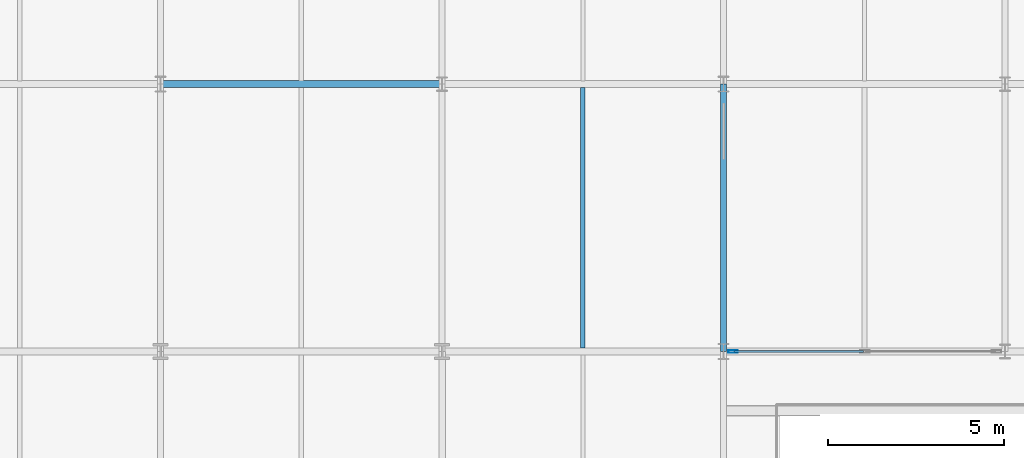
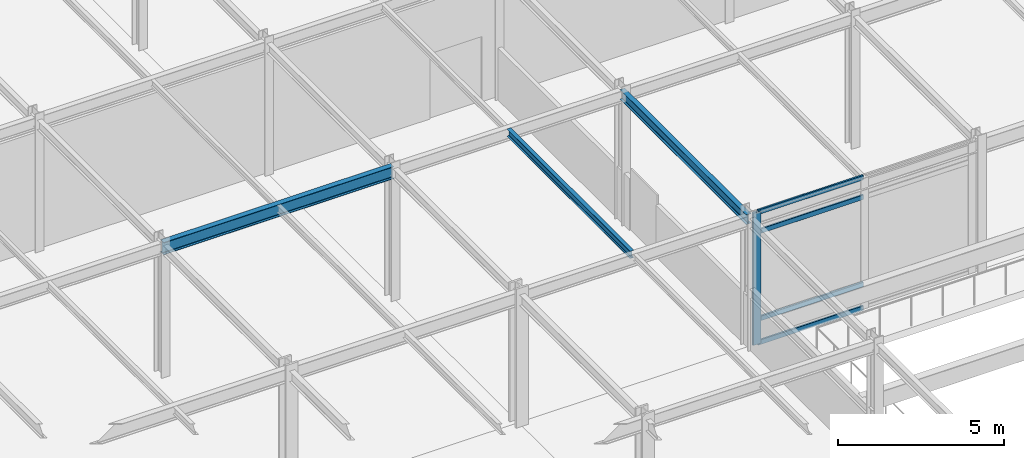
# One storey, part 32 of 113: 5 members, 3 beams, 1 element without a shape of its own.
"""IFC4 building model written with IfcOpenShell, lengths in metres."""

from ifc_helpers import new_model, si_unit, direction, frame, origin, origin_2d, place, context, subcontext, project, spatial, hollow_rectangle, i_section, extrude, material, layer, layer_set, material_profile, profile_set, type_object, element, aggregate, save


model = new_model("IFC4")

# Units and contexts
model_context = context("Model", 3, precision=1e-05, world=origin(), true_north=direction((0.0, 1.0)))
body_context = subcontext(model_context, "Body", "Model", "MODEL_VIEW")
ifc_project = project(units=[si_unit("LENGTHUNIT", "METRE"), si_unit("AREAUNIT", "SQUARE_METRE"), si_unit("VOLUMEUNIT", "CUBIC_METRE"), si_unit("PLANEANGLEUNIT", "RADIAN"), si_unit("MASSUNIT", "GRAM", prefix="KILO")], contexts=[model_context])

# Site, building, storey
site_placement = place(None, origin())
site = spatial("IfcSite", under=ifc_project, at=site_placement, CompositionType="ELEMENT")
building_placement = place(site_placement, origin())
building = spatial("IfcBuilding", under=site, at=building_placement, Name="Shalkamar Park Central Library", CompositionType="ELEMENT")
storey_placement = place(building_placement, frame((0.0, 0.0, 5.39990234375)))
storey = spatial("IfcBuildingStorey", under=building, at=storey_placement, Name="L02", CompositionType="ELEMENT", Elevation=5.39990234375)

# Beam
ifc_material_1 = material(Name="Steel S355", Category="steel")
ifc_material_profile_1 = material_profile(ifc_material_1, i_section(OverallWidth=0.135009765625, OverallDepth=0.27001953125, WebThickness=0.006591796875, FlangeThickness=0.01025390625, FilletRadius=0.014892578125, at=origin_2d()), Name="IPE 270")
ifc_profile_set_1 = profile_set([ifc_material_profile_1], Name="Steel S355")
beam_type_1 = type_object("IfcBeamType", Name="Composite Floor Joist IPE270", PredefinedType="JOIST", material=ifc_profile_set_1)
beam_1_placement = place(storey_placement, frame((225.0, 293.29296875, 4.72509765625), z_axis=(0.0, 1.0, 0.0), x_axis=(-1.0, 0.0, 0.0)))
element("IfcBeam", 1, at=beam_1_placement, inside=storey, type_object=beam_type_1, Name="Composite Joist 14/H-1 (L02)", PredefinedType="JOIST", context=body_context, shape_type="SweptSolid", body=[
    extrude(i_section(OverallWidth=0.135009765625, OverallDepth=0.27001953125, WebThickness=0.006591796875, FlangeThickness=0.01025390625, FilletRadius=0.014892578125, at=origin_2d()), origin(), (0.0, 0.0, 1.0), 7.4140625),
])

# Curtain wall, members
ifc_material_2 = material(Name="Thermally broken aluminium and triple low-e curtain wall", Category="aluminium")
ifc_layer = layer(ifc_material_2, 0.27001953125)
ifc_layer_set = layer_set([ifc_layer], Name="AtriumGlazedScreen_118")
curtain_wall_type = type_object("IfcCurtainWallType", Name="Atrium Glazed Screen 118", PredefinedType="USERDEFINED", material=ifc_layer_set)
curtain_wall_placement = place(storey_placement, origin())
curtain_wall = element("IfcCurtainWall", 2, at=curtain_wall_placement, inside=storey, type_object=curtain_wall_type, Name="Atrium Glazed Screen CW-L02-175", ObjectType="ATRIUM GLAZED SCREEN", PredefinedType="USERDEFINED")
ifc_material_3 = material(Name="Aluminium 6060-T66", Category="aluminium")
ifc_material_profile_2 = material_profile(ifc_material_3, hollow_rectangle(XDim=0.080078125, YDim=0.27001953125, WallThickness=0.0048828125, InnerFilletRadius=0.0048828125, OuterFilletRadius=0.007568359375, at=origin_2d()), Name="ALU 80x270x5")
ifc_profile_set_2 = profile_set([ifc_material_profile_2], Name="Aluminium 6060-T66")
member_type_1 = type_object("IfcMemberType", Name="Curtain Wall Mullion ALU80x270", PredefinedType="MULLION", material=ifc_profile_set_2)
member_1_placement = place(storey_placement, frame((229.26904296875, 293.199951171875, 0.0), z_axis=(0.0, 0.0, 1.0), x_axis=(0.0, 1.0, 0.0)))
member_1 = element("IfcMember", 3, at=member_1_placement, type_object=member_type_1, Name="CW-118 mullion 1", PredefinedType="MULLION", context=body_context, shape_type="SweptSolid", body=[
    extrude(hollow_rectangle(XDim=0.080078125, YDim=0.27001953125, WallThickness=0.0048828125, InnerFilletRadius=0.0048828125, OuterFilletRadius=0.007568359375, at=origin_2d()), origin(), (0.0, 0.0, 1.0), 4.860107421875),
])
ifc_material_profile_3 = material_profile(ifc_material_3, hollow_rectangle(XDim=0.06494140625, YDim=0.175048828125, WallThickness=0.00439453125, InnerFilletRadius=0.00439453125, OuterFilletRadius=0.0068359375, at=origin_2d()), Name="ALU 65x175x4.5")
ifc_profile_set_3 = profile_set([ifc_material_profile_3], Name="Aluminium 6060-T66")
member_type_2 = type_object("IfcMemberType", Name="Curtain Wall Transom ALU65x175", PredefinedType="USERDEFINED", material=ifc_profile_set_3)
member_2_placement = place(storey_placement, frame((229.30908203125, 293.199951171875, 0.03271484375), z_axis=(1.0, 0.0, 0.0), x_axis=(0.0, 1.0, 0.0)))
member_2 = element("IfcMember", 4, at=member_2_placement, type_object=member_type_2, Name="CW-118 transom 1.1", ObjectType="TRANSOM", PredefinedType="USERDEFINED", context=body_context, shape_type="SweptSolid", body=[
    extrude(hollow_rectangle(XDim=0.06494140625, YDim=0.175048828125, WallThickness=0.00439453125, InnerFilletRadius=0.00439453125, OuterFilletRadius=0.0068359375, at=origin_2d()), origin(), (0.0, 0.0, 1.0), 3.663330078125),
])
member_3_placement = place(storey_placement, frame((229.30908203125, 293.199951171875, 0.900146484375), z_axis=(1.0, 0.0, 0.0), x_axis=(0.0, 1.0, 0.0)))
member_3 = element("IfcMember", 5, at=member_3_placement, type_object=member_type_2, Name="CW-118 transom 1.2", ObjectType="TRANSOM", PredefinedType="USERDEFINED", context=body_context, shape_type="SweptSolid", body=[
    extrude(hollow_rectangle(XDim=0.06494140625, YDim=0.175048828125, WallThickness=0.00439453125, InnerFilletRadius=0.00439453125, OuterFilletRadius=0.0068359375, at=origin_2d()), origin(), (0.0, 0.0, 1.0), 3.663330078125),
])
member_4_placement = place(storey_placement, frame((229.30908203125, 293.199951171875, 4.110107421875), z_axis=(1.0, 0.0, 0.0), x_axis=(0.0, 1.0, 0.0)))
member_4 = element("IfcMember", 6, at=member_4_placement, type_object=member_type_2, Name="CW-118 transom 1.3", ObjectType="TRANSOM", PredefinedType="USERDEFINED", context=body_context, shape_type="SweptSolid", body=[
    extrude(hollow_rectangle(XDim=0.06494140625, YDim=0.175048828125, WallThickness=0.00439453125, InnerFilletRadius=0.00439453125, OuterFilletRadius=0.0068359375, at=origin_2d()), origin(), (0.0, 0.0, 1.0), 3.663330078125),
])
member_5_placement = place(storey_placement, frame((229.30908203125, 293.199951171875, 4.82763671875), z_axis=(1.0, 0.0, 0.0), x_axis=(0.0, 1.0, 0.0)))
member_5 = element("IfcMember", 7, at=member_5_placement, type_object=member_type_2, Name="CW-118 transom 1.4", ObjectType="TRANSOM", PredefinedType="USERDEFINED", context=body_context, shape_type="SweptSolid", body=[
    extrude(hollow_rectangle(XDim=0.06494140625, YDim=0.175048828125, WallThickness=0.00439453125, InnerFilletRadius=0.00439453125, OuterFilletRadius=0.0068359375, at=origin_2d()), origin(), (0.0, 0.0, 1.0), 3.663330078125),
])
aggregate(curtain_wall, [member_1, member_2, member_3, member_4, member_5])

# Beams
ifc_material_profile_4 = material_profile(ifc_material_1, i_section(OverallWidth=0.169921875, OverallDepth=0.360107421875, WebThickness=0.008056640625, FlangeThickness=0.0126953125, FilletRadius=0.01806640625, at=origin_2d()), Name="IPE 360")
ifc_profile_set_4 = profile_set([ifc_material_profile_4], Name="Steel S355")
beam_type_2 = type_object("IfcBeamType", Name="Primary Girder IPE360", PredefinedType="BEAM", material=ifc_profile_set_4)
beam_2_placement = place(storey_placement, frame((229.0, 293.199951171875, 4.68017578125), z_axis=(0.0, 1.0, 0.0), x_axis=(-1.0, 0.0, 0.0)))
element("IfcBeam", 8, at=beam_2_placement, inside=storey, type_object=beam_type_2, Name="Beam 15:H-J (L02)", PredefinedType="BEAM", context=body_context, shape_type="SweptSolid", body=[
    extrude(i_section(OverallWidth=0.169921875, OverallDepth=0.360107421875, WebThickness=0.008056640625, FlangeThickness=0.0126953125, FilletRadius=0.01806640625, at=origin_2d()), origin(), (0.0, 0.0, 1.0), 7.60009765625),
])
ifc_material_profile_5 = material_profile(ifc_material_1, i_section(OverallWidth=0.18994140625, OverallDepth=0.449951171875, WebThickness=0.009521484375, FlangeThickness=0.0146484375, FilletRadius=0.02099609375, at=origin_2d()), Name="IPE 450")
ifc_profile_set_5 = profile_set([ifc_material_profile_5], Name="Steel S355")
beam_type_3 = type_object("IfcBeamType", Name="Primary Girder IPE450", PredefinedType="BEAM", material=ifc_profile_set_5)
beam_3_placement = place(storey_placement, frame((213.0, 300.800048828125, 4.635009765625), z_axis=(1.0, 0.0, 0.0), x_axis=(0.0, 1.0, 0.0)))
element("IfcBeam", 9, at=beam_3_placement, inside=storey, type_object=beam_type_3, Name="Beam J:13-14 (L02)", PredefinedType="BEAM", context=body_context, shape_type="SweptSolid", body=[
    extrude(i_section(OverallWidth=0.18994140625, OverallDepth=0.449951171875, WebThickness=0.009521484375, FlangeThickness=0.0146484375, FilletRadius=0.02099609375, at=origin_2d()), origin(), (0.0, 0.0, 1.0), 8.0),
])

save(model, "model.ifc")
